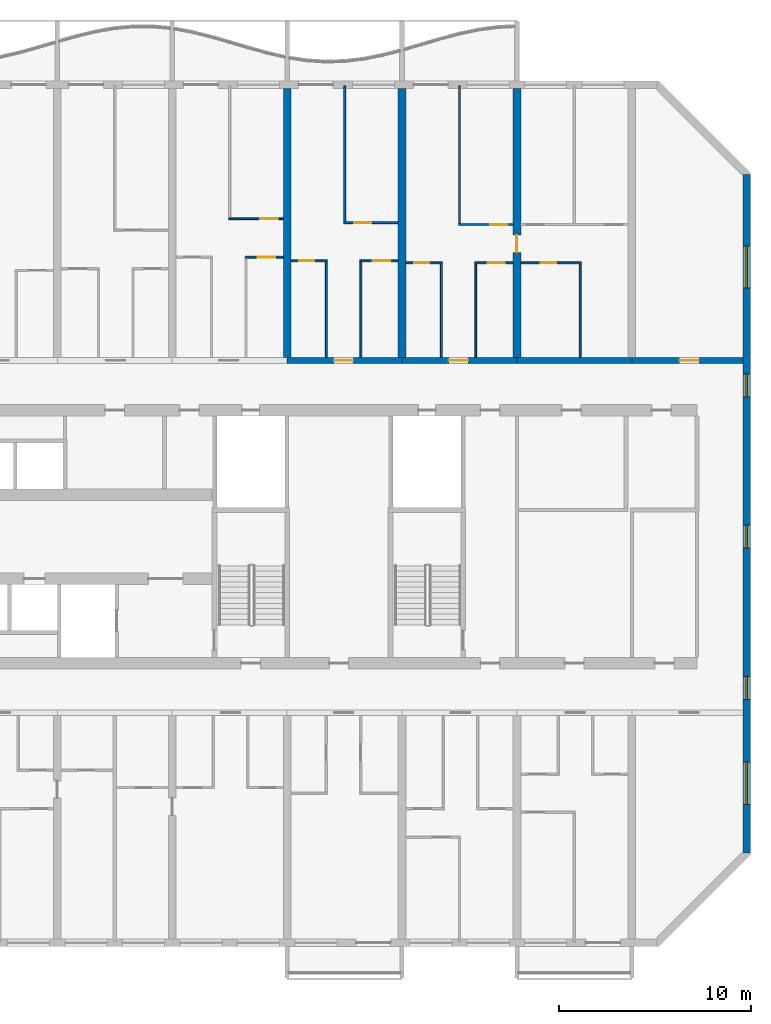
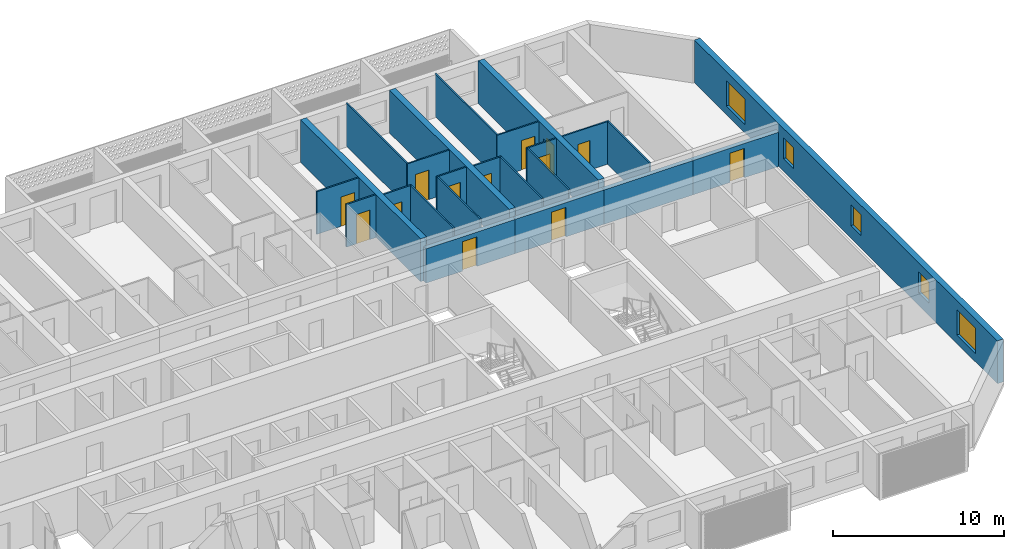
# One storey, part 15 of 39: 24 walls, 13 doors, 5 windows, 18 openings.
"""IFC4 building model written with IfcOpenShell, lengths in metres."""

from ifc_helpers import new_model, si_unit, direction, frame, frame_2d, origin, place, context, subcontext, project, spatial, rectangle, extrude, material, layer, layer_set, type_object, element, fill, save


model = new_model("IFC4")

# Units and contexts
model_context = context("Model", 3, precision=1e-05, world=origin(), true_north=direction((0.0, 1.0)))
body_context = subcontext(model_context, "Body", "Model", "MODEL_VIEW")
ifc_project = project(units=[si_unit("LENGTHUNIT", "METRE"), si_unit("AREAUNIT", "SQUARE_METRE"), si_unit("VOLUMEUNIT", "CUBIC_METRE"), si_unit("PLANEANGLEUNIT", "RADIAN"), si_unit("MASSUNIT", "GRAM", prefix="KILO")], contexts=[model_context])

# Site, building, storey
site_placement = place(None, origin())
site = spatial("IfcSite", under=ifc_project, at=site_placement, CompositionType="ELEMENT")
building_placement = place(site_placement, origin())
building = spatial("IfcBuilding", under=site, at=building_placement, Name="Poui Terraces", CompositionType="ELEMENT")
storey_placement = place(building_placement, frame((0.0, 0.0, 56.39990234375)))
storey = spatial("IfcBuildingStorey", under=building, at=storey_placement, Name="L15", CompositionType="ELEMENT", Elevation=56.39990234375)

# Wall, opening, door
ifc_material_1 = material(Name="Concrete 80 MPa", Category="concrete")
ifc_layer_1 = layer(ifc_material_1, 0.300048828125)
ifc_layer_set_1 = layer_set([ifc_layer_1], Name="Concrete 80 MPa")
wall_type_1 = type_object("IfcWallType", Name="CORRIDOR WALL 300 80MPa", PredefinedType="SHEAR", material=ifc_layer_set_1)
wall_1_placement = place(storey_placement, frame((72.0, 30.39990234375, 0.0), z_axis=(0.0, 0.0, 1.0), x_axis=(1.0, 0.0, 0.0)))
wall_1 = element("IfcWall", 1, at=wall_1_placement, inside=storey, type_object=wall_type_1, Name="CORRIDOR WALL LINE E BAY 12", PredefinedType="SHEAR", context=body_context, shape_type="SweptSolid", body=[
    extrude(rectangle(XDim=6.0, YDim=0.300048828125, at=frame_2d((3.0, 0.0))), origin(), (0.0, 0.0, 1.0), 2.4501953125),
])
opening_1_placement = place(wall_1_placement, frame((2.449951171875, 0.0, 0.0)))
opening_1 = element("IfcOpeningElement", 2, at=opening_1_placement, cuts=wall_1, Name="Opening FD30S", PredefinedType="OPENING", context=body_context, shape_type="SweptSolid", body=[
    extrude(rectangle(XDim=1.0, YDim=2.10009765625, at=frame_2d((0.5, 1.050048828125))), frame((0.0, 0.16015625, 0.0), z_axis=(0.0, -1.0, 0.0), x_axis=(1.0, 0.0, 0.0)), (0.0, 0.0, 1.0), 0.320068359375),
])
ifc_material_2 = material(Name="Steel fire door", Category="steel")
door_type_1 = type_object("IfcDoorType", Name="FLAT ENTRANCE DOOR 1000 X 2100", OperationType="NOTDEFINED", PredefinedType="DOOR", material=ifc_material_2)
door_1_placement = place(opening_1_placement, origin())
door_1 = element("IfcDoor", 3, at=door_1_placement, inside=storey, type_object=door_type_1, Name="FLAT ENTRANCE DOOR 072", OperationType="SINGLE_SWING_LEFT", OverallHeight=2.10009765625, OverallWidth=1.0, PredefinedType="DOOR", context=body_context, shape_type="SweptSolid", body=[
    extrude(rectangle(XDim=1.0, YDim=2.10009765625, at=frame_2d((0.5, 1.050048828125))), frame((0.0, 0.02490234375, 0.0), z_axis=(0.0, -1.0, 0.0), x_axis=(1.0, 0.0, 0.0)), (0.0, 0.0, 1.0), 0.050048828125),
])
fill(opening_1, door_1)

wall_2_placement = place(storey_placement, frame((78.0, 30.39990234375, 0.0), z_axis=(0.0, 0.0, 1.0), x_axis=(1.0, 0.0, 0.0)))
wall_2 = element("IfcWall", 4, at=wall_2_placement, inside=storey, type_object=wall_type_1, Name="CORRIDOR WALL LINE E BAY 13", PredefinedType="SHEAR", context=body_context, shape_type="SweptSolid", body=[
    extrude(rectangle(XDim=6.0, YDim=0.300048828125, at=frame_2d((3.0, 0.0))), origin(), (0.0, 0.0, 1.0), 2.4501953125),
])
opening_2_placement = place(wall_2_placement, frame((2.449951171875, 0.0, 0.0)))
opening_2 = element("IfcOpeningElement", 5, at=opening_2_placement, cuts=wall_2, Name="Opening FD30S", PredefinedType="OPENING", context=body_context, shape_type="SweptSolid", body=[
    extrude(rectangle(XDim=1.0, YDim=2.10009765625, at=frame_2d((0.5, 1.050048828125))), frame((0.0, 0.16015625, 0.0), z_axis=(0.0, -1.0, 0.0), x_axis=(1.0, 0.0, 0.0)), (0.0, 0.0, 1.0), 0.320068359375),
])
door_2_placement = place(opening_2_placement, origin())
door_2 = element("IfcDoor", 6, at=door_2_placement, inside=storey, type_object=door_type_1, Name="FLAT ENTRANCE DOOR 079", OperationType="SINGLE_SWING_LEFT", OverallHeight=2.10009765625, OverallWidth=1.0, PredefinedType="DOOR", context=body_context, shape_type="SweptSolid", body=[
    extrude(rectangle(XDim=1.0, YDim=2.10009765625, at=frame_2d((0.5, 1.050048828125))), frame((0.0, 0.02490234375, 0.0), z_axis=(0.0, -1.0, 0.0), x_axis=(1.0, 0.0, 0.0)), (0.0, 0.0, 1.0), 0.050048828125),
])
fill(opening_2, door_2)

# Wall
wall_3_placement = place(storey_placement, frame((84.0, 30.39990234375, 0.0), z_axis=(0.0, 0.0, 1.0), x_axis=(1.0, 0.0, 0.0)))
element("IfcWall", 7, at=wall_3_placement, inside=storey, type_object=wall_type_1, Name="CORRIDOR WALL LINE E BAY 14", PredefinedType="SHEAR", context=body_context, shape_type="SweptSolid", body=[
    extrude(rectangle(XDim=6.0, YDim=0.300048828125, at=frame_2d((3.0, 0.0))), origin(), (0.0, 0.0, 1.0), 2.4501953125),
])

# Wall, opening, door
wall_4_placement = place(storey_placement, frame((90.0, 30.39990234375, 0.0), z_axis=(0.0, 0.0, 1.0), x_axis=(1.0, 0.0, 0.0)))
wall_4 = element("IfcWall", 8, at=wall_4_placement, inside=storey, type_object=wall_type_1, Name="CORRIDOR WALL LINE E BAY 15", PredefinedType="SHEAR", context=body_context, shape_type="SweptSolid", body=[
    extrude(rectangle(XDim=5.800048828125, YDim=0.300048828125, at=frame_2d((2.89990234375, 0.0))), origin(), (0.0, 0.0, 1.0), 2.4501953125),
])
opening_3_placement = place(wall_4_placement, frame((2.5, 0.0, 0.0)))
opening_3 = element("IfcOpeningElement", 9, at=opening_3_placement, cuts=wall_4, Name="Opening D100", PredefinedType="OPENING", context=body_context, shape_type="SweptSolid", body=[
    extrude(rectangle(XDim=1.0, YDim=2.10009765625, at=frame_2d((0.5, 1.050048828125))), frame((0.0, 0.16015625, 0.0), z_axis=(0.0, -1.0, 0.0), x_axis=(1.0, 0.0, 0.0)), (0.0, 0.0, 1.0), 0.320068359375),
])
ifc_material_3 = material(Name="Solid core timber door", Category="wood")
door_type_2 = type_object("IfcDoorType", Name="ACCESSIBLE INTERNAL DOOR 1000 X 2100", OperationType="NOTDEFINED", PredefinedType="DOOR", material=ifc_material_3)
door_3_placement = place(opening_3_placement, origin())
door_3 = element("IfcDoor", 10, at=door_3_placement, inside=storey, type_object=door_type_2, Name="ACCESSIBLE INTERNAL DOOR 083", OperationType="SINGLE_SWING_LEFT", OverallHeight=2.10009765625, OverallWidth=1.0, PredefinedType="DOOR", context=body_context, shape_type="SweptSolid", body=[
    extrude(rectangle(XDim=1.0, YDim=2.10009765625, at=frame_2d((0.5, 1.050048828125))), frame((0.0, 0.02490234375, 0.0), z_axis=(0.0, -1.0, 0.0), x_axis=(1.0, 0.0, 0.0)), (0.0, 0.0, 1.0), 0.050048828125),
])
fill(opening_3, door_3)

# Walls
ifc_layer_2 = layer(ifc_material_1, 0.39990234375)
ifc_layer_set_2 = layer_set([ifc_layer_2], Name="Concrete 80 MPa")
wall_type_2 = type_object("IfcWallType", Name="CROSS WALL 400 80MPa", PredefinedType="SHEAR", material=ifc_layer_set_2)
for number, where, z_axis, x_axis, name in (
    (11, (72.0, 30.550048828125, 0.0), (0.0, 0.0, 1.0), (0.0, 1.0, 0.0), "CROSS WALL LINE 13 NORTH"),
    (12, (78.0, 30.550048828125, 0.0), (0.0, 0.0, 1.0), (0.0, 1.0, 0.0), "CROSS WALL LINE 14 NORTH"),
):
    element("IfcWall", number, at=place(storey_placement, frame(where, z_axis=z_axis, x_axis=x_axis)), inside=storey, type_object=wall_type_2, Name=name, PredefinedType="SHEAR", context=body_context, shape_type="SweptSolid", body=[
        extrude(rectangle(XDim=14.050048828125, YDim=0.39990234375, at=frame_2d((7.02490234375, 0.0))), origin(), (0.0, 0.0, 1.0), 3.050048828125),
    ])

# Wall, opening, door
wall_5_placement = place(storey_placement, frame((84.0, 30.550048828125, 0.0), z_axis=(0.0, 0.0, 1.0), x_axis=(0.0, 1.0, 0.0)))
wall_5 = element("IfcWall", 13, at=wall_5_placement, inside=storey, type_object=wall_type_2, Name="CROSS WALL LINE 15 NORTH", PredefinedType="SHEAR", context=body_context, shape_type="SweptSolid", body=[
    extrude(rectangle(XDim=14.050048828125, YDim=0.39990234375, at=frame_2d((7.02490234375, 0.0))), origin(), (0.0, 0.0, 1.0), 3.050048828125),
])
opening_4_placement = place(wall_5_placement, frame((5.5, 0.0, 0.0)))
opening_4 = element("IfcOpeningElement", 14, at=opening_4_placement, cuts=wall_5, Name="Opening D90", PredefinedType="OPENING", context=body_context, shape_type="SweptSolid", body=[
    extrude(rectangle(XDim=0.89990234375, YDim=2.10009765625, at=frame_2d((0.449951171875, 1.050048828125))), frame((0.0, 0.2099609375, 0.0), z_axis=(0.0, -1.0, 0.0), x_axis=(1.0, 0.0, 0.0)), (0.0, 0.0, 1.0), 0.419921875),
])
door_type_3 = type_object("IfcDoorType", Name="INTERNAL DOOR 900 X 2100", OperationType="NOTDEFINED", PredefinedType="DOOR", material=ifc_material_3)
door_4_placement = place(opening_4_placement, origin())
door_4 = element("IfcDoor", 15, at=door_4_placement, inside=storey, type_object=door_type_3, Name="INTERNAL DOOR 082", OperationType="SINGLE_SWING_LEFT", OverallHeight=2.10009765625, OverallWidth=0.89990234375, PredefinedType="DOOR", context=body_context, shape_type="SweptSolid", body=[
    extrude(rectangle(XDim=0.89990234375, YDim=2.10009765625, at=frame_2d((0.449951171875, 1.050048828125))), frame((0.0, 0.02490234375, 0.0), z_axis=(0.0, -1.0, 0.0), x_axis=(1.0, 0.0, 0.0)), (0.0, 0.0, 1.0), 0.050048828125),
])
fill(opening_4, door_4)

# Wall, openings, windows
ifc_layer_3 = layer(ifc_material_1, 0.39990234375)
ifc_layer_set_3 = layer_set([ifc_layer_3], Name="Concrete 80 MPa")
wall_type_3 = type_object("IfcWallType", Name="END WALL 400 80MPa", PredefinedType="SHEAR", material=ifc_layer_set_3)
wall_6_placement = place(storey_placement, frame((96.0, 4.682861328125, 0.0), z_axis=(0.0, 0.0, 1.0), x_axis=(0.0, 1.0, 0.0)))
wall_6 = element("IfcWall", 16, at=wall_6_placement, inside=storey, type_object=wall_type_3, Name="END WALL EAST", PredefinedType="SHEAR", context=body_context, shape_type="SweptSolid", body=[
    extrude(rectangle(XDim=35.434326171875, YDim=0.39990234375, at=frame_2d((17.71728515625, 0.0))), origin(), (0.0, 0.0, 1.0), 3.050048828125),
])
opening_5_placement = place(wall_6_placement, frame((15.917236328125, 0.0, 0.89990234375)))
opening_5 = element("IfcOpeningElement", 17, at=opening_5_placement, cuts=wall_6, Name="Opening W2", PredefinedType="OPENING", context=body_context, shape_type="SweptSolid", body=[
    extrude(rectangle(XDim=1.199951171875, YDim=1.5, at=frame_2d((0.60009765625, 0.75))), frame((0.0, 0.2099609375, 0.0), z_axis=(0.0, -1.0, 0.0), x_axis=(1.0, 0.0, 0.0)), (0.0, 0.0, 1.0), 0.419921875),
])
opening_6_placement = place(wall_6_placement, frame((23.817138671875, 0.0, 0.89990234375)))
opening_6 = element("IfcOpeningElement", 18, at=opening_6_placement, cuts=wall_6, Name="Opening W2", PredefinedType="OPENING", context=body_context, shape_type="SweptSolid", body=[
    extrude(rectangle(XDim=1.199951171875, YDim=1.5, at=frame_2d((0.60009765625, 0.75))), frame((0.0, 0.2099609375, 0.0), z_axis=(0.0, -1.0, 0.0), x_axis=(1.0, 0.0, 0.0)), (0.0, 0.0, 1.0), 0.419921875),
])
opening_7_placement = place(wall_6_placement, frame((8.01708984375, 0.0, 0.89990234375)))
opening_7 = element("IfcOpeningElement", 19, at=opening_7_placement, cuts=wall_6, Name="Opening W2", PredefinedType="OPENING", context=body_context, shape_type="SweptSolid", body=[
    extrude(rectangle(XDim=1.199951171875, YDim=1.5, at=frame_2d((0.60009765625, 0.75))), frame((0.0, 0.2099609375, 0.0), z_axis=(0.0, -1.0, 0.0), x_axis=(1.0, 0.0, 0.0)), (0.0, 0.0, 1.0), 0.419921875),
])
opening_8_placement = place(wall_6_placement, frame((29.493408203125, 0.0, 0.60009765625)))
opening_8 = element("IfcOpeningElement", 20, at=opening_8_placement, cuts=wall_6, Name="Opening W3", PredefinedType="OPENING", context=body_context, shape_type="SweptSolid", body=[
    extrude(rectangle(XDim=2.199951171875, YDim=1.800048828125, at=frame_2d((1.10009765625, 0.89990234375))), frame((0.0, 0.2099609375, 0.0), z_axis=(0.0, -1.0, 0.0), x_axis=(1.0, 0.0, 0.0)), (0.0, 0.0, 1.0), 0.419921875),
])
opening_9_placement = place(wall_6_placement, frame((2.541015625, 0.0, 0.60009765625)))
opening_9 = element("IfcOpeningElement", 21, at=opening_9_placement, cuts=wall_6, Name="Opening W3", PredefinedType="OPENING", context=body_context, shape_type="SweptSolid", body=[
    extrude(rectangle(XDim=2.199951171875, YDim=1.800048828125, at=frame_2d((1.10009765625, 0.89990234375))), frame((0.0, 0.2099609375, 0.0), z_axis=(0.0, -1.0, 0.0), x_axis=(1.0, 0.0, 0.0)), (0.0, 0.0, 1.0), 0.419921875),
])
ifc_material_4 = material(Name="Clear glass in aluminium frame", Category="aluminium")
window_type_1 = type_object("IfcWindowType", Name="WINDOW 1200X1500", PartitioningType="SINGLE_PANEL", PredefinedType="WINDOW", material=ifc_material_4)
window_1_placement = place(opening_5_placement, origin())
window_1 = element("IfcWindow", 22, at=window_1_placement, inside=storey, type_object=window_type_1, Name="W2 WINDOW", OverallHeight=1.5, OverallWidth=1.199951171875, PartitioningType="SINGLE_PANEL", PredefinedType="WINDOW", context=body_context, shape_type="SweptSolid", body=[
    extrude(rectangle(XDim=1.199951171875, YDim=1.5, at=frame_2d((0.60009765625, 0.75))), frame((0.0, 0.030029296875, 0.0), z_axis=(0.0, -1.0, 0.0), x_axis=(1.0, 0.0, 0.0)), (0.0, 0.0, 1.0), 0.06005859375),
])
fill(opening_5, window_1)
window_2_placement = place(opening_6_placement, origin())
window_2 = element("IfcWindow", 23, at=window_2_placement, inside=storey, type_object=window_type_1, Name="W2 WINDOW", OverallHeight=1.5, OverallWidth=1.199951171875, PartitioningType="SINGLE_PANEL", PredefinedType="WINDOW", context=body_context, shape_type="SweptSolid", body=[
    extrude(rectangle(XDim=1.199951171875, YDim=1.5, at=frame_2d((0.60009765625, 0.75))), frame((0.0, 0.030029296875, 0.0), z_axis=(0.0, -1.0, 0.0), x_axis=(1.0, 0.0, 0.0)), (0.0, 0.0, 1.0), 0.06005859375),
])
fill(opening_6, window_2)
window_3_placement = place(opening_7_placement, origin())
window_3 = element("IfcWindow", 24, at=window_3_placement, inside=storey, type_object=window_type_1, Name="W2 WINDOW", OverallHeight=1.5, OverallWidth=1.199951171875, PartitioningType="SINGLE_PANEL", PredefinedType="WINDOW", context=body_context, shape_type="SweptSolid", body=[
    extrude(rectangle(XDim=1.199951171875, YDim=1.5, at=frame_2d((0.60009765625, 0.75))), frame((0.0, 0.030029296875, 0.0), z_axis=(0.0, -1.0, 0.0), x_axis=(1.0, 0.0, 0.0)), (0.0, 0.0, 1.0), 0.06005859375),
])
fill(opening_7, window_3)
window_type_2 = type_object("IfcWindowType", Name="WINDOW 2200X1800", PartitioningType="DOUBLE_PANEL_HORIZONTAL", PredefinedType="WINDOW", material=ifc_material_4)
window_4_placement = place(opening_8_placement, origin())
window_4 = element("IfcWindow", 25, at=window_4_placement, inside=storey, type_object=window_type_2, Name="W3 WINDOW", OverallHeight=1.800048828125, OverallWidth=2.199951171875, PartitioningType="DOUBLE_PANEL_HORIZONTAL", PredefinedType="WINDOW", context=body_context, shape_type="SweptSolid", body=[
    extrude(rectangle(XDim=2.199951171875, YDim=1.800048828125, at=frame_2d((1.10009765625, 0.89990234375))), frame((0.0, 0.030029296875, 0.0), z_axis=(0.0, -1.0, 0.0), x_axis=(1.0, 0.0, 0.0)), (0.0, 0.0, 1.0), 0.06005859375),
])
fill(opening_8, window_4)
window_5_placement = place(opening_9_placement, origin())
window_5 = element("IfcWindow", 26, at=window_5_placement, inside=storey, type_object=window_type_2, Name="W3 WINDOW", OverallHeight=1.800048828125, OverallWidth=2.199951171875, PartitioningType="DOUBLE_PANEL_HORIZONTAL", PredefinedType="WINDOW", context=body_context, shape_type="SweptSolid", body=[
    extrude(rectangle(XDim=2.199951171875, YDim=1.800048828125, at=frame_2d((1.10009765625, 0.89990234375))), frame((0.0, 0.030029296875, 0.0), z_axis=(0.0, -1.0, 0.0), x_axis=(1.0, 0.0, 0.0)), (0.0, 0.0, 1.0), 0.06005859375),
])
fill(opening_9, window_5)

# Wall, opening, door
ifc_material_5 = material(Name="Plasterboard partition")
ifc_layer_4 = layer(ifc_material_5, 0.10009765625)
ifc_layer_set_4 = layer_set([ifc_layer_4], Name="Plasterboard partition")
wall_type_4 = type_object("IfcWallType", Name="FLAT PARTITION 100", PredefinedType="PARTITIONING", material=ifc_layer_set_4)
wall_7_placement = place(storey_placement, frame((78.2099609375, 35.5, 0.0), z_axis=(0.0, 0.0, 1.0), x_axis=(1.0, 0.0, 0.0)))
wall_7 = element("IfcWall", 27, at=wall_7_placement, inside=storey, type_object=wall_type_4, Name="FLAT PARTITION 100", PredefinedType="PARTITIONING", context=body_context, shape_type="SweptSolid", body=[
    extrude(rectangle(XDim=1.89013671875, YDim=0.10009765625, at=frame_2d((0.945068359375, 0.0))), origin(), (0.0, 0.0, 1.0), 3.050048828125),
])
opening_10_placement = place(wall_7_placement, frame((0.4150390625, 0.0, 0.0)))
opening_10 = element("IfcOpeningElement", 28, at=opening_10_placement, cuts=wall_7, Name="Opening D80", PredefinedType="OPENING", context=body_context, shape_type="SweptSolid", body=[
    extrude(rectangle(XDim=0.800048828125, YDim=2.10009765625, at=frame_2d((0.39990234375, 1.050048828125))), frame((0.0, 0.06005859375, 0.0), z_axis=(0.0, -1.0, 0.0), x_axis=(1.0, 0.0, 0.0)), (0.0, 0.0, 1.0), 0.1201171875),
])
door_type_4 = type_object("IfcDoorType", Name="BATHROOM, LAUNDRY AND STORE DOOR 800 X 2100", OperationType="NOTDEFINED", PredefinedType="DOOR", material=ifc_material_3)
door_5_placement = place(opening_10_placement, frame((0.800048828125, 0.0, 0.0), z_axis=(0.0, 0.0, 1.0), x_axis=(-1.0, 0.0, 0.0)))
door_5 = element("IfcDoor", 29, at=door_5_placement, inside=storey, type_object=door_type_4, Name="BATHROOM, LAUNDRY AND STORE DOOR 078", OperationType="SINGLE_SWING_RIGHT", OverallHeight=2.10009765625, OverallWidth=0.800048828125, PredefinedType="DOOR", context=body_context, shape_type="SweptSolid", body=[
    extrude(rectangle(XDim=0.800048828125, YDim=2.10009765625, at=frame_2d((0.39990234375, 1.050048828125))), frame((0.0, 0.02490234375, 0.0), z_axis=(0.0, -1.0, 0.0), x_axis=(1.0, 0.0, 0.0)), (0.0, 0.0, 1.0), 0.050048828125),
])
fill(opening_10, door_5)

wall_8_placement = place(storey_placement, frame((81.800048828125, 35.5, 0.0), z_axis=(0.0, 0.0, 1.0), x_axis=(1.0, 0.0, 0.0)))
wall_8 = element("IfcWall", 30, at=wall_8_placement, inside=storey, type_object=wall_type_4, Name="FLAT PARTITION 100", PredefinedType="PARTITIONING", context=body_context, shape_type="SweptSolid", body=[
    extrude(rectangle(XDim=1.989990234375, YDim=0.10009765625, at=frame_2d((0.9951171875, 0.0))), origin(), (0.0, 0.0, 1.0), 3.050048828125),
])
opening_11_placement = place(wall_8_placement, frame((0.675048828125, 0.0, 0.0)))
opening_11 = element("IfcOpeningElement", 31, at=opening_11_placement, cuts=wall_8, Name="Opening D90", PredefinedType="OPENING", context=body_context, shape_type="SweptSolid", body=[
    extrude(rectangle(XDim=0.89990234375, YDim=2.10009765625, at=frame_2d((0.449951171875, 1.050048828125))), frame((0.0, 0.06005859375, 0.0), z_axis=(0.0, -1.0, 0.0), x_axis=(1.0, 0.0, 0.0)), (0.0, 0.0, 1.0), 0.1201171875),
])
door_6_placement = place(opening_11_placement, frame((0.89990234375, 0.0, 0.0), z_axis=(0.0, 0.0, 1.0), x_axis=(-1.0, 0.0, 0.0)))
door_6 = element("IfcDoor", 32, at=door_6_placement, inside=storey, type_object=door_type_3, Name="INTERNAL DOOR 080", OperationType="SINGLE_SWING_LEFT", OverallHeight=2.10009765625, OverallWidth=0.89990234375, PredefinedType="DOOR", context=body_context, shape_type="SweptSolid", body=[
    extrude(rectangle(XDim=0.89990234375, YDim=2.10009765625, at=frame_2d((0.449951171875, 1.050048828125))), frame((0.0, 0.02490234375, 0.0), z_axis=(0.0, -1.0, 0.0), x_axis=(1.0, 0.0, 0.0)), (0.0, 0.0, 1.0), 0.050048828125),
])
fill(opening_11, door_6)

wall_9_placement = place(storey_placement, frame((84.2099609375, 35.5, 0.0), z_axis=(0.0, 0.0, 1.0), x_axis=(1.0, 0.0, 0.0)))
wall_9 = element("IfcWall", 33, at=wall_9_placement, inside=storey, type_object=wall_type_4, Name="FLAT PARTITION 100", PredefinedType="PARTITIONING", context=body_context, shape_type="SweptSolid", body=[
    extrude(rectangle(XDim=3.14013671875, YDim=0.10009765625, at=frame_2d((1.570068359375, 0.0))), origin(), (0.0, 0.0, 1.0), 3.050048828125),
])
opening_12_placement = place(wall_9_placement, frame((1.0400390625, 0.0, 0.0)))
opening_12 = element("IfcOpeningElement", 34, at=opening_12_placement, cuts=wall_9, Name="Opening D80", PredefinedType="OPENING", context=body_context, shape_type="SweptSolid", body=[
    extrude(rectangle(XDim=0.800048828125, YDim=2.10009765625, at=frame_2d((0.39990234375, 1.050048828125))), frame((0.0, 0.06005859375, 0.0), z_axis=(0.0, -1.0, 0.0), x_axis=(1.0, 0.0, 0.0)), (0.0, 0.0, 1.0), 0.1201171875),
])
door_7_placement = place(opening_12_placement, origin())
door_7 = element("IfcDoor", 35, at=door_7_placement, inside=storey, type_object=door_type_4, Name="BATHROOM, LAUNDRY AND STORE DOOR 076", OperationType="SINGLE_SWING_RIGHT", OverallHeight=2.10009765625, OverallWidth=0.800048828125, PredefinedType="DOOR", context=body_context, shape_type="SweptSolid", body=[
    extrude(rectangle(XDim=0.800048828125, YDim=2.10009765625, at=frame_2d((0.39990234375, 1.050048828125))), frame((0.0, 0.02490234375, 0.0), z_axis=(0.0, -1.0, 0.0), x_axis=(1.0, 0.0, 0.0)), (0.0, 0.0, 1.0), 0.050048828125),
])
fill(opening_12, door_7)

wall_10_placement = place(storey_placement, frame((72.2099609375, 35.60009765625, 0.0), z_axis=(0.0, 0.0, 1.0), x_axis=(1.0, 0.0, 0.0)))
wall_10 = element("IfcWall", 36, at=wall_10_placement, inside=storey, type_object=wall_type_4, Name="FLAT PARTITION 100", PredefinedType="PARTITIONING", context=body_context, shape_type="SweptSolid", body=[
    extrude(rectangle(XDim=1.89013671875, YDim=0.10009765625, at=frame_2d((0.945068359375, 0.0))), origin(), (0.0, 0.0, 1.0), 3.050048828125),
])
opening_13_placement = place(wall_10_placement, frame((0.4150390625, 0.0, 0.0)))
opening_13 = element("IfcOpeningElement", 37, at=opening_13_placement, cuts=wall_10, Name="Opening D80", PredefinedType="OPENING", context=body_context, shape_type="SweptSolid", body=[
    extrude(rectangle(XDim=0.800048828125, YDim=2.10009765625, at=frame_2d((0.39990234375, 1.050048828125))), frame((0.0, 0.06005859375, 0.0), z_axis=(0.0, -1.0, 0.0), x_axis=(1.0, 0.0, 0.0)), (0.0, 0.0, 1.0), 0.1201171875),
])
door_8_placement = place(opening_13_placement, frame((0.800048828125, 0.0, 0.0), z_axis=(0.0, 0.0, 1.0), x_axis=(-1.0, 0.0, 0.0)))
door_8 = element("IfcDoor", 38, at=door_8_placement, inside=storey, type_object=door_type_4, Name="BATHROOM, LAUNDRY AND STORE DOOR 071", OperationType="SINGLE_SWING_LEFT", OverallHeight=2.10009765625, OverallWidth=0.800048828125, PredefinedType="DOOR", context=body_context, shape_type="SweptSolid", body=[
    extrude(rectangle(XDim=0.800048828125, YDim=2.10009765625, at=frame_2d((0.39990234375, 1.050048828125))), frame((0.0, 0.02490234375, 0.0), z_axis=(0.0, -1.0, 0.0), x_axis=(1.0, 0.0, 0.0)), (0.0, 0.0, 1.0), 0.050048828125),
])
fill(opening_13, door_8)

wall_11_placement = place(storey_placement, frame((75.800048828125, 35.60009765625, 0.0), z_axis=(0.0, 0.0, 1.0), x_axis=(1.0, 0.0, 0.0)))
wall_11 = element("IfcWall", 39, at=wall_11_placement, inside=storey, type_object=wall_type_4, Name="FLAT PARTITION 100", PredefinedType="PARTITIONING", context=body_context, shape_type="SweptSolid", body=[
    extrude(rectangle(XDim=1.989990234375, YDim=0.10009765625, at=frame_2d((0.9951171875, 0.0))), origin(), (0.0, 0.0, 1.0), 3.050048828125),
])
opening_14_placement = place(wall_11_placement, frame((0.675048828125, 0.0, 0.0)))
opening_14 = element("IfcOpeningElement", 40, at=opening_14_placement, cuts=wall_11, Name="Opening D90", PredefinedType="OPENING", context=body_context, shape_type="SweptSolid", body=[
    extrude(rectangle(XDim=0.89990234375, YDim=2.10009765625, at=frame_2d((0.449951171875, 1.050048828125))), frame((0.0, 0.06005859375, 0.0), z_axis=(0.0, -1.0, 0.0), x_axis=(1.0, 0.0, 0.0)), (0.0, 0.0, 1.0), 0.1201171875),
])
door_9_placement = place(opening_14_placement, frame((0.89990234375, 0.0, 0.0), z_axis=(0.0, 0.0, 1.0), x_axis=(-1.0, 0.0, 0.0)))
door_9 = element("IfcDoor", 41, at=door_9_placement, inside=storey, type_object=door_type_3, Name="INTERNAL DOOR 074", OperationType="SINGLE_SWING_RIGHT", OverallHeight=2.10009765625, OverallWidth=0.89990234375, PredefinedType="DOOR", context=body_context, shape_type="SweptSolid", body=[
    extrude(rectangle(XDim=0.89990234375, YDim=2.10009765625, at=frame_2d((0.449951171875, 1.050048828125))), frame((0.0, 0.02490234375, 0.0), z_axis=(0.0, -1.0, 0.0), x_axis=(1.0, 0.0, 0.0)), (0.0, 0.0, 1.0), 0.050048828125),
])
fill(opening_14, door_9)

wall_12_placement = place(storey_placement, frame((69.800048828125, 35.800048828125, 0.0), z_axis=(0.0, 0.0, 1.0), x_axis=(1.0, 0.0, 0.0)))
wall_12 = element("IfcWall", 42, at=wall_12_placement, inside=storey, type_object=wall_type_4, Name="FLAT PARTITION 100", PredefinedType="PARTITIONING", context=body_context, shape_type="SweptSolid", body=[
    extrude(rectangle(XDim=1.989990234375, YDim=0.10009765625, at=frame_2d((0.9951171875, 0.0))), origin(), (0.0, 0.0, 1.0), 3.050048828125),
])
opening_15_placement = place(wall_12_placement, frame((0.675048828125, 0.0, 0.0)))
opening_15 = element("IfcOpeningElement", 43, at=opening_15_placement, cuts=wall_12, Name="Opening D90", PredefinedType="OPENING", context=body_context, shape_type="SweptSolid", body=[
    extrude(rectangle(XDim=0.89990234375, YDim=2.10009765625, at=frame_2d((0.449951171875, 1.050048828125))), frame((0.0, 0.06005859375, 0.0), z_axis=(0.0, -1.0, 0.0), x_axis=(1.0, 0.0, 0.0)), (0.0, 0.0, 1.0), 0.1201171875),
])
door_10_placement = place(opening_15_placement, frame((0.89990234375, 0.0, 0.0), z_axis=(0.0, 0.0, 1.0), x_axis=(-1.0, 0.0, 0.0)))
door_10 = element("IfcDoor", 44, at=door_10_placement, inside=storey, type_object=door_type_3, Name="INTERNAL DOOR 069", OperationType="SINGLE_SWING_LEFT", OverallHeight=2.10009765625, OverallWidth=0.89990234375, PredefinedType="DOOR", context=body_context, shape_type="SweptSolid", body=[
    extrude(rectangle(XDim=0.89990234375, YDim=2.10009765625, at=frame_2d((0.449951171875, 1.050048828125))), frame((0.0, 0.02490234375, 0.0), z_axis=(0.0, -1.0, 0.0), x_axis=(1.0, 0.0, 0.0)), (0.0, 0.0, 1.0), 0.050048828125),
])
fill(opening_15, door_10)

wall_13_placement = place(storey_placement, frame((80.949951171875, 37.5, 0.0), z_axis=(0.0, 0.0, 1.0), x_axis=(1.0, 0.0, 0.0)))
wall_13 = element("IfcWall", 45, at=wall_13_placement, inside=storey, type_object=wall_type_4, Name="FLAT PARTITION 100", PredefinedType="PARTITIONING", context=body_context, shape_type="SweptSolid", body=[
    extrude(rectangle(XDim=2.840087890625, YDim=0.10009765625, at=frame_2d((1.419921875, 0.0))), origin(), (0.0, 0.0, 1.0), 3.050048828125),
])
opening_16_placement = place(wall_13_placement, frame((1.64990234375, 0.0, 0.0)))
opening_16 = element("IfcOpeningElement", 46, at=opening_16_placement, cuts=wall_13, Name="Opening D90", PredefinedType="OPENING", context=body_context, shape_type="SweptSolid", body=[
    extrude(rectangle(XDim=0.89990234375, YDim=2.10009765625, at=frame_2d((0.449951171875, 1.050048828125))), frame((0.0, 0.06005859375, 0.0), z_axis=(0.0, -1.0, 0.0), x_axis=(1.0, 0.0, 0.0)), (0.0, 0.0, 1.0), 0.1201171875),
])
door_11_placement = place(opening_16_placement, frame((0.89990234375, 0.0, 0.0), z_axis=(0.0, 0.0, 1.0), x_axis=(-1.0, 0.0, 0.0)))
door_11 = element("IfcDoor", 47, at=door_11_placement, inside=storey, type_object=door_type_3, Name="INTERNAL DOOR 081", OperationType="SINGLE_SWING_RIGHT", OverallHeight=2.10009765625, OverallWidth=0.89990234375, PredefinedType="DOOR", context=body_context, shape_type="SweptSolid", body=[
    extrude(rectangle(XDim=0.89990234375, YDim=2.10009765625, at=frame_2d((0.449951171875, 1.050048828125))), frame((0.0, 0.02490234375, 0.0), z_axis=(0.0, -1.0, 0.0), x_axis=(1.0, 0.0, 0.0)), (0.0, 0.0, 1.0), 0.050048828125),
])
fill(opening_16, door_11)

wall_14_placement = place(storey_placement, frame((74.949951171875, 37.60009765625, 0.0), z_axis=(0.0, 0.0, 1.0), x_axis=(1.0, 0.0, 0.0)))
wall_14 = element("IfcWall", 48, at=wall_14_placement, inside=storey, type_object=wall_type_4, Name="FLAT PARTITION 100", PredefinedType="PARTITIONING", context=body_context, shape_type="SweptSolid", body=[
    extrude(rectangle(XDim=2.840087890625, YDim=0.10009765625, at=frame_2d((1.419921875, 0.0))), origin(), (0.0, 0.0, 1.0), 3.050048828125),
])
opening_17_placement = place(wall_14_placement, frame((0.550048828125, 0.0, 0.0)))
opening_17 = element("IfcOpeningElement", 49, at=opening_17_placement, cuts=wall_14, Name="Opening D90", PredefinedType="OPENING", context=body_context, shape_type="SweptSolid", body=[
    extrude(rectangle(XDim=0.89990234375, YDim=2.10009765625, at=frame_2d((0.449951171875, 1.050048828125))), frame((0.0, 0.06005859375, 0.0), z_axis=(0.0, -1.0, 0.0), x_axis=(1.0, 0.0, 0.0)), (0.0, 0.0, 1.0), 0.1201171875),
])
door_12_placement = place(opening_17_placement, frame((0.89990234375, 0.0, 0.0), z_axis=(0.0, 0.0, 1.0), x_axis=(-1.0, 0.0, 0.0)))
door_12 = element("IfcDoor", 50, at=door_12_placement, inside=storey, type_object=door_type_3, Name="INTERNAL DOOR 073", OperationType="SINGLE_SWING_LEFT", OverallHeight=2.10009765625, OverallWidth=0.89990234375, PredefinedType="DOOR", context=body_context, shape_type="SweptSolid", body=[
    extrude(rectangle(XDim=0.89990234375, YDim=2.10009765625, at=frame_2d((0.449951171875, 1.050048828125))), frame((0.0, 0.02490234375, 0.0), z_axis=(0.0, -1.0, 0.0), x_axis=(1.0, 0.0, 0.0)), (0.0, 0.0, 1.0), 0.050048828125),
])
fill(opening_17, door_12)

wall_15_placement = place(storey_placement, frame((68.949951171875, 37.800048828125, 0.0), z_axis=(0.0, 0.0, 1.0), x_axis=(1.0, 0.0, 0.0)))
wall_15 = element("IfcWall", 51, at=wall_15_placement, inside=storey, type_object=wall_type_4, Name="FLAT PARTITION 100", PredefinedType="PARTITIONING", context=body_context, shape_type="SweptSolid", body=[
    extrude(rectangle(XDim=2.840087890625, YDim=0.10009765625, at=frame_2d((1.419921875, 0.0))), origin(), (0.0, 0.0, 1.0), 3.050048828125),
])
opening_18_placement = place(wall_15_placement, frame((1.64990234375, 0.0, 0.0)))
opening_18 = element("IfcOpeningElement", 52, at=opening_18_placement, cuts=wall_15, Name="Opening D90", PredefinedType="OPENING", context=body_context, shape_type="SweptSolid", body=[
    extrude(rectangle(XDim=0.89990234375, YDim=2.10009765625, at=frame_2d((0.449951171875, 1.050048828125))), frame((0.0, 0.06005859375, 0.0), z_axis=(0.0, -1.0, 0.0), x_axis=(1.0, 0.0, 0.0)), (0.0, 0.0, 1.0), 0.1201171875),
])
door_13_placement = place(opening_18_placement, frame((0.89990234375, 0.0, 0.0), z_axis=(0.0, 0.0, 1.0), x_axis=(-1.0, 0.0, 0.0)))
door_13 = element("IfcDoor", 53, at=door_13_placement, inside=storey, type_object=door_type_3, Name="INTERNAL DOOR 070", OperationType="SINGLE_SWING_RIGHT", OverallHeight=2.10009765625, OverallWidth=0.89990234375, PredefinedType="DOOR", context=body_context, shape_type="SweptSolid", body=[
    extrude(rectangle(XDim=0.89990234375, YDim=2.10009765625, at=frame_2d((0.449951171875, 1.050048828125))), frame((0.0, 0.02490234375, 0.0), z_axis=(0.0, -1.0, 0.0), x_axis=(1.0, 0.0, 0.0)), (0.0, 0.0, 1.0), 0.050048828125),
])
fill(opening_18, door_13)

# Walls
wall_16_placement = place(storey_placement, frame((74.050048828125, 30.56005859375, 0.0), z_axis=(0.0, 0.0, 1.0), x_axis=(0.0, 1.0, 0.0)))
element("IfcWall", 54, at=wall_16_placement, inside=storey, type_object=wall_type_4, Name="FLAT PARTITION 100", PredefinedType="PARTITIONING", context=body_context, shape_type="SweptSolid", body=[
    extrude(rectangle(XDim=4.989990234375, YDim=0.10009765625, at=frame_2d((2.4951171875, 0.0))), origin(), (0.0, 0.0, 1.0), 3.050048828125),
])
wall_17_placement = place(storey_placement, frame((75.0, 37.64990234375, 0.0), z_axis=(0.0, 0.0, 1.0), x_axis=(0.0, 1.0, 0.0)))
element("IfcWall", 55, at=wall_17_placement, inside=storey, type_object=wall_type_4, Name="FLAT PARTITION 100", PredefinedType="PARTITIONING", context=body_context, shape_type="SweptSolid", body=[
    extrude(rectangle(XDim=7.090087890625, YDim=0.10009765625, at=frame_2d((3.544921875, 0.0))), origin(), (0.0, 0.0, 1.0), 3.050048828125),
])
wall_18_placement = place(storey_placement, frame((75.85009765625, 30.56005859375, 0.0), z_axis=(0.0, 0.0, 1.0), x_axis=(0.0, 1.0, 0.0)))
element("IfcWall", 56, at=wall_18_placement, inside=storey, type_object=wall_type_4, Name="FLAT PARTITION 100", PredefinedType="PARTITIONING", context=body_context, shape_type="SweptSolid", body=[
    extrude(rectangle(XDim=4.989990234375, YDim=0.10009765625, at=frame_2d((2.4951171875, 0.0))), origin(), (0.0, 0.0, 1.0), 3.050048828125),
])
wall_19_placement = place(storey_placement, frame((80.050048828125, 30.56005859375, 0.0), z_axis=(0.0, 0.0, 1.0), x_axis=(0.0, 1.0, 0.0)))
element("IfcWall", 57, at=wall_19_placement, inside=storey, type_object=wall_type_4, Name="FLAT PARTITION 100", PredefinedType="PARTITIONING", context=body_context, shape_type="SweptSolid", body=[
    extrude(rectangle(XDim=4.889892578125, YDim=0.10009765625, at=frame_2d((2.44482421875, 0.0))), origin(), (0.0, 0.0, 1.0), 3.050048828125),
])
wall_20_placement = place(storey_placement, frame((81.0, 37.550048828125, 0.0), z_axis=(0.0, 0.0, 1.0), x_axis=(0.0, 1.0, 0.0)))
element("IfcWall", 58, at=wall_20_placement, inside=storey, type_object=wall_type_4, Name="FLAT PARTITION 100", PredefinedType="PARTITIONING", context=body_context, shape_type="SweptSolid", body=[
    extrude(rectangle(XDim=7.18994140625, YDim=0.10009765625, at=frame_2d((3.594970703125, 0.0))), origin(), (0.0, 0.0, 1.0), 3.050048828125),
])
for number, where, z_axis, x_axis, name in (
    (59, (81.85009765625, 30.56005859375, 0.0), (0.0, 0.0, 1.0), (0.0, 1.0, 0.0), "FLAT PARTITION 100"),
    (60, (87.300048828125, 30.56005859375, 0.0), (0.0, 0.0, 1.0), (0.0, 1.0, 0.0), "FLAT PARTITION 100"),
):
    element("IfcWall", number, at=place(storey_placement, frame(where, z_axis=z_axis, x_axis=x_axis)), inside=storey, type_object=wall_type_4, Name=name, PredefinedType="PARTITIONING", context=body_context, shape_type="SweptSolid", body=[
        extrude(rectangle(XDim=4.889892578125, YDim=0.10009765625, at=frame_2d((2.44482421875, 0.0))), origin(), (0.0, 0.0, 1.0), 3.050048828125),
    ])

save(model, "model.ifc")
